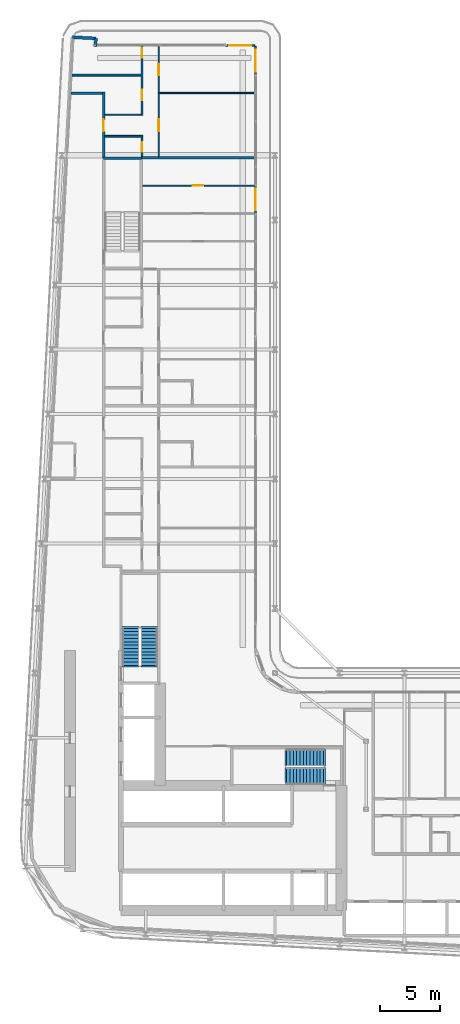
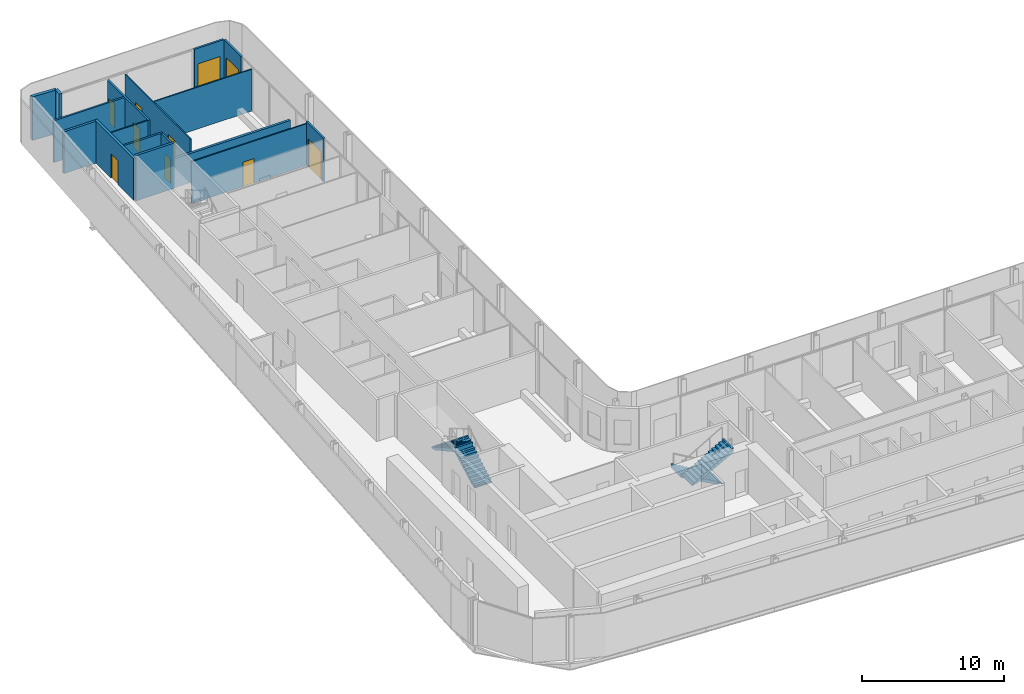
# One storey, part 20 of 28: 17 walls, 10 doors, 4 stair flights, 10 openings, 2 elements without a shape of their own.
"""IFC4 building model written with IfcOpenShell, lengths in metres."""

from ifc_helpers import new_model, si_unit, direction, frame, frame_2d, origin, place, context, subcontext, project, spatial, polyline, rectangle, outline, extrude, source, transform, mapped, material, layer, layer_set, type_object, element, fill, aggregate, save


model = new_model("IFC4")

# Units and contexts
model_context = context("Model", 3, precision=1e-05, world=origin(), true_north=direction((0.0, 1.0)))
body_context = subcontext(model_context, "Body", "Model", "MODEL_VIEW")
ifc_project = project(units=[si_unit("LENGTHUNIT", "METRE"), si_unit("AREAUNIT", "SQUARE_METRE"), si_unit("VOLUMEUNIT", "CUBIC_METRE"), si_unit("PLANEANGLEUNIT", "RADIAN"), si_unit("MASSUNIT", "GRAM", prefix="KILO")], contexts=[model_context])

# Site, building, storey
site_placement = place(None, origin())
site = spatial("IfcSite", under=ifc_project, at=site_placement, CompositionType="ELEMENT")
building_placement = place(site_placement, origin())
building = spatial("IfcBuilding", under=site, at=building_placement, Name="Kheshtan School and Residences Tower", CompositionType="ELEMENT")
storey_placement = place(building_placement, frame((0.0, 0.0, 140.89990234375)))
storey = spatial("IfcBuildingStorey", under=building, at=storey_placement, Name="L33", CompositionType="ELEMENT", Elevation=140.89990234375)

# Wall
ifc_material_1 = material(Name="Gypsum board on steel studs with fire boards", Category="steel")
ifc_layer_1 = layer(ifc_material_1, 0.199951171875)
ifc_layer_set_1 = layer_set([ifc_layer_1], Name="Corridor wall 200")
wall_type_1 = type_object("IfcWallType", Name="Corridor wall 200", PredefinedType="PARTITIONING", material=ifc_layer_set_1)
wall_1_placement = place(storey_placement, frame((30.584716796875, 94.0, 0.0), z_axis=(0.0, 0.0, 1.0), x_axis=(1.0, 0.0, 0.0)))
element("IfcWall", 1, at=wall_1_placement, inside=storey, type_object=wall_type_1, Name="Partition L33-002", PredefinedType="PARTITIONING", context=body_context, shape_type="SweptSolid", body=[
    extrude(rectangle(XDim=2.615234375, YDim=0.199951171875, at=frame_2d((1.3076171875, 0.0))), origin(), (0.0, 0.0, 1.0), 3.60009765625),
])

# Wall, opening, door
wall_2_placement = place(storey_placement, frame((33.300048828125, 88.60009765625, 0.0), z_axis=(0.0, 0.0, 1.0), x_axis=(0.0, 1.0, 0.0)))
wall_2 = element("IfcWall", 2, at=wall_2_placement, inside=storey, type_object=wall_type_1, Name="Partition L33-004", PredefinedType="PARTITIONING", context=body_context, shape_type="SweptSolid", body=[
    extrude(rectangle(XDim=5.5, YDim=0.199951171875, at=frame_2d((2.75, 0.0))), origin(), (0.0, 0.0, 1.0), 3.60009765625),
])
opening_1_placement = place(wall_2_placement, frame((2.199951171875, 0.0, 0.0)))
opening_1 = element("IfcOpeningElement", 3, at=opening_1_placement, cuts=wall_2, Name="Opening D32-059", PredefinedType="OPENING", context=body_context, shape_type="SweptSolid", body=[
    extrude(rectangle(XDim=1.0, YDim=2.10009765625, at=frame_2d((0.5, 1.050048828125))), frame((0.0, 0.10986328125, 0.0), z_axis=(0.0, -1.0, 0.0), x_axis=(1.0, 0.0, 0.0)), (0.0, 0.0, 1.0), 0.219970703125),
])
ifc_material_2 = material(Name="Steel-framed fire-resisting door leaf", Category="steel")
door_type_1 = type_object("IfcDoorType", Name="Fire door FD30S 1000 x 2100", OperationType="SINGLE_SWING_LEFT", PredefinedType="DOOR", material=ifc_material_2)
shared_shape_1 = source(origin(), body_context, "Body", "SweptSolid", [
    extrude(rectangle(XDim=1.0, YDim=2.10009765625, at=frame_2d((0.5, 1.050048828125))), frame((0.0, 0.02490234375, 0.0), z_axis=(0.0, -1.0, 0.0), x_axis=(1.0, 0.0, 0.0)), (0.0, 0.0, 1.0), 0.050048828125),
])
door_1_placement = place(opening_1_placement, origin())
door_1 = element("IfcDoor", 4, at=door_1_placement, inside=storey, type_object=door_type_1, Name="Door D32-059", OperationType="SINGLE_SWING_LEFT", OverallHeight=2.10009765625, OverallWidth=1.0, PredefinedType="DOOR", context=body_context, shape_type="MappedRepresentation", body=[
    mapped(shared_shape_1, transform((0.0, 0.0, 0.0), x_axis=(1.0, 0.0, 0.0), y_axis=(0.0, 1.0, 0.0), z_axis=(0.0, 0.0, 1.0), scale=1.0)),
])
fill(opening_1, door_1)

# Walls
ifc_material_3 = material(Name="Concrete C40/50 with ceramic cladding and mineral wool insulation", Category="concrete")
ifc_layer_2 = layer(ifc_material_3, 0.25)
ifc_layer_set_2 = layer_set([ifc_layer_2], Name="External wall 250 ceramic clad")
wall_type_2 = type_object("IfcWallType", Name="External wall 250 ceramic clad", PredefinedType="SOLIDWALL", material=ifc_layer_set_2)
wall_3_placement = place(storey_placement, frame((30.705078125, 98.6640625, 0.0), z_axis=(0.0, 0.0, 1.0), x_axis=(0.998577785791, -0.053314216913, 0.0)))
element("IfcWall", 5, at=wall_3_placement, inside=storey, type_object=wall_type_2, Name="External wall L33 5", PredefinedType="SOLIDWALL", context=body_context, shape_type="SweptSolid", body=[
    extrude(rectangle(XDim=1.95068359375, YDim=0.25, at=frame_2d((0.975341796875, 0.0))), origin(), (0.0, 0.0, 1.0), 3.75),
])
wall_4_placement = place(storey_placement, frame((32.653076171875, 98.56005859375, 0.0), z_axis=(0.0, 0.0, 1.0), x_axis=(-0.054093451632, -0.998535877418, 0.0)))
element("IfcWall", 6, at=wall_4_placement, inside=storey, type_object=wall_type_2, Name="External wall L33 6", PredefinedType="SOLIDWALL", context=body_context, shape_type="SweptSolid", body=[
    extrude(rectangle(XDim=0.66796875, YDim=0.25, at=frame_2d((0.333984375, 0.0))), origin(), (0.0, 0.0, 1.0), 3.75),
])

# Wall, opening, door
ifc_material_4 = material(Name="Aluminium frame wall with insulated infill", Category="aluminium")
ifc_layer_3 = layer(ifc_material_4, 0.14990234375)
ifc_layer_set_3 = layer_set([ifc_layer_3], Name="Glazing frame wall 150")
wall_type_3 = type_object("IfcWallType", Name="Glazing frame wall 150", PredefinedType="SOLIDWALL", material=ifc_layer_set_3)
wall_5_placement = place(storey_placement, frame((43.5, 97.97509765625, 0.0), z_axis=(0.0, 0.0, 1.0), x_axis=(1.0, 0.0, 0.0)))
wall_5 = element("IfcWall", 7, at=wall_5_placement, inside=storey, type_object=wall_type_3, Name="Balcony door wall L33 7.1", PredefinedType="SOLIDWALL", context=body_context, shape_type="SweptSolid", body=[
    extrude(rectangle(XDim=2.39990234375, YDim=0.14990234375, at=frame_2d((1.199951171875, 0.0))), origin(), (0.0, 0.0, 1.0), 3.75),
])
opening_2_placement = place(wall_5_placement, frame((0.300048828125, 0.0, 0.0)))
opening_2 = element("IfcOpeningElement", 8, at=opening_2_placement, cuts=wall_5, Name="Opening BD", PredefinedType="OPENING", context=body_context, shape_type="SweptSolid", body=[
    extrude(rectangle(XDim=1.800048828125, YDim=2.39990234375, at=frame_2d((0.89990234375, 1.199951171875))), frame((0.0, 0.0849609375, 0.0), z_axis=(0.0, -1.0, 0.0), x_axis=(1.0, 0.0, 0.0)), (0.0, 0.0, 1.0), 0.169921875),
])
ifc_material_5 = material(Name="Clear low-e glass in thermally broken aluminium frame", Category="aluminium")
door_type_2 = type_object("IfcDoorType", Name="Balcony sliding door", OperationType="SLIDING_TO_LEFT", PredefinedType="DOOR", material=ifc_material_5)
shared_shape_2 = source(origin(), body_context, "Body", "SweptSolid", [
    extrude(rectangle(XDim=1.800048828125, YDim=2.39990234375, at=frame_2d((0.89990234375, 1.199951171875))), frame((0.0, 0.02490234375, 0.0), z_axis=(0.0, -1.0, 0.0), x_axis=(1.0, 0.0, 0.0)), (0.0, 0.0, 1.0), 0.050048828125),
])
door_2_placement = place(opening_2_placement, origin())
door_2 = element("IfcDoor", 9, at=door_2_placement, inside=storey, type_object=door_type_2, Name="Balcony door L33 7.1", OperationType="SLIDING_TO_LEFT", OverallHeight=2.39990234375, OverallWidth=1.800048828125, PredefinedType="DOOR", context=body_context, shape_type="MappedRepresentation", body=[
    mapped(shared_shape_2, transform((0.0, 0.0, 0.0), x_axis=(1.0, 0.0, 0.0), y_axis=(0.0, 1.0, 0.0), z_axis=(0.0, 0.0, 1.0), scale=1.0)),
])
fill(opening_2, door_2)

wall_6_placement = place(storey_placement, frame((45.97509765625, 97.89990234375, 0.0), z_axis=(0.0, 0.0, 1.0), x_axis=(0.0, -1.0, 0.0)))
wall_6 = element("IfcWall", 10, at=wall_6_placement, inside=storey, type_object=wall_type_3, Name="Balcony door wall L33 8.1", PredefinedType="SOLIDWALL", context=body_context, shape_type="SweptSolid", body=[
    extrude(rectangle(XDim=2.39990234375, YDim=0.14990234375, at=frame_2d((1.199951171875, 0.0))), origin(), (0.0, 0.0, 1.0), 3.75),
])
opening_3_placement = place(wall_6_placement, frame((0.300048828125, 0.0, 0.0)))
opening_3 = element("IfcOpeningElement", 11, at=opening_3_placement, cuts=wall_6, Name="Opening BD", PredefinedType="OPENING", context=body_context, shape_type="SweptSolid", body=[
    extrude(rectangle(XDim=1.800048828125, YDim=2.39990234375, at=frame_2d((0.89990234375, 1.199951171875))), frame((0.0, 0.0849609375, 0.0), z_axis=(0.0, -1.0, 0.0), x_axis=(1.0, 0.0, 0.0)), (0.0, 0.0, 1.0), 0.169921875),
])
door_3_placement = place(opening_3_placement, origin())
door_3 = element("IfcDoor", 12, at=door_3_placement, inside=storey, type_object=door_type_2, Name="Balcony door L33 8.1", OperationType="SLIDING_TO_LEFT", OverallHeight=2.39990234375, OverallWidth=1.800048828125, PredefinedType="DOOR", context=body_context, shape_type="MappedRepresentation", body=[
    mapped(shared_shape_2, transform((0.0, 0.0, 0.0), x_axis=(1.0, 0.0, 0.0), y_axis=(0.0, 1.0, 0.0), z_axis=(0.0, 0.0, 1.0), scale=1.0)),
])
fill(opening_3, door_3)

wall_7_placement = place(storey_placement, frame((45.97509765625, 86.305908203125, 0.0), z_axis=(0.0, 0.0, 1.0), x_axis=(0.0, -1.0, 0.0)))
wall_7 = element("IfcWall", 13, at=wall_7_placement, inside=storey, type_object=wall_type_3, Name="Balcony door wall L33 8.2", PredefinedType="SOLIDWALL", context=body_context, shape_type="SweptSolid", body=[
    extrude(rectangle(XDim=2.39990234375, YDim=0.14990234375, at=frame_2d((1.199951171875, 0.0))), origin(), (0.0, 0.0, 1.0), 3.75),
])
opening_4_placement = place(wall_7_placement, frame((0.300048828125, 0.0, 0.0)))
opening_4 = element("IfcOpeningElement", 14, at=opening_4_placement, cuts=wall_7, Name="Opening BD", PredefinedType="OPENING", context=body_context, shape_type="SweptSolid", body=[
    extrude(rectangle(XDim=1.800048828125, YDim=2.39990234375, at=frame_2d((0.89990234375, 1.199951171875))), frame((0.0, 0.0849609375, 0.0), z_axis=(0.0, -1.0, 0.0), x_axis=(1.0, 0.0, 0.0)), (0.0, 0.0, 1.0), 0.169921875),
])
door_4_placement = place(opening_4_placement, origin())
door_4 = element("IfcDoor", 15, at=door_4_placement, inside=storey, type_object=door_type_2, Name="Balcony door L33 8.2", OperationType="SLIDING_TO_LEFT", OverallHeight=2.39990234375, OverallWidth=1.800048828125, PredefinedType="DOOR", context=body_context, shape_type="MappedRepresentation", body=[
    mapped(shared_shape_2, transform((0.0, 0.0, 0.0), x_axis=(1.0, 0.0, 0.0), y_axis=(0.0, 1.0, 0.0), z_axis=(0.0, 0.0, 1.0), scale=1.0)),
])
fill(opening_4, door_4)

# Wall
ifc_material_6 = material(Name="Gypsum board on steel studs", Category="steel")
ifc_layer_4 = layer(ifc_material_6, 0.10009765625)
ifc_layer_set_4 = layer_set([ifc_layer_4], Name="Gypsum partition 100")
wall_type_4 = type_object("IfcWallType", Name="Gypsum partition 100", PredefinedType="PARTITIONING", material=ifc_layer_set_4)
wall_8_placement = place(storey_placement, frame((33.39990234375, 92.199951171875, 0.0), z_axis=(0.0, 0.0, 1.0), x_axis=(1.0, 0.0, 0.0)))
element("IfcWall", 16, at=wall_8_placement, inside=storey, type_object=wall_type_4, Name="Partition L33-017", PredefinedType="PARTITIONING", context=body_context, shape_type="SweptSolid", body=[
    extrude(rectangle(XDim=3.025146484375, YDim=0.10009765625, at=frame_2d((1.5126953125, 0.0))), origin(), (0.0, 0.0, 1.0), 3.60009765625),
])

# Wall, opening, door
wall_9_placement = place(storey_placement, frame((36.549072265625, 86.27490234375, 0.0), z_axis=(0.0, 0.0, 1.0), x_axis=(1.0, 0.0, 0.0)))
wall_9 = element("IfcWall", 17, at=wall_9_placement, inside=storey, type_object=wall_type_4, Name="Partition L33-029", PredefinedType="PARTITIONING", context=body_context, shape_type="SweptSolid", body=[
    extrude(rectangle(XDim=9.350830078125, YDim=0.10009765625, at=frame_2d((4.67529296875, 0.0))), origin(), (0.0, 0.0, 1.0), 3.60009765625),
])
opening_5_placement = place(wall_9_placement, frame((4.176025390625, 0.0, 0.0)))
opening_5 = element("IfcOpeningElement", 18, at=opening_5_placement, cuts=wall_9, Name="Opening D32-056", PredefinedType="OPENING", context=body_context, shape_type="SweptSolid", body=[
    extrude(rectangle(XDim=0.89990234375, YDim=2.10009765625, at=frame_2d((0.449951171875, 1.050048828125))), frame((0.0, 0.06005859375, 0.0), z_axis=(0.0, -1.0, 0.0), x_axis=(1.0, 0.0, 0.0)), (0.0, 0.0, 1.0), 0.1201171875),
])
ifc_material_7 = material(Name="Veneered timber door leaf", Category="wood")
door_type_3 = type_object("IfcDoorType", Name="Door 900 x 2100", OperationType="SINGLE_SWING_LEFT", PredefinedType="DOOR", material=ifc_material_7)
shared_shape_3 = source(origin(), body_context, "Body", "SweptSolid", [
    extrude(rectangle(XDim=0.89990234375, YDim=2.10009765625, at=frame_2d((0.449951171875, 1.050048828125))), frame((0.0, 0.02490234375, 0.0), z_axis=(0.0, -1.0, 0.0), x_axis=(1.0, 0.0, 0.0)), (0.0, 0.0, 1.0), 0.050048828125),
])
door_5_placement = place(opening_5_placement, origin())
door_5 = element("IfcDoor", 19, at=door_5_placement, inside=storey, type_object=door_type_3, Name="Door D32-056", OperationType="SINGLE_SWING_RIGHT", OverallHeight=2.10009765625, OverallWidth=0.89990234375, PredefinedType="DOOR", context=body_context, shape_type="MappedRepresentation", body=[
    mapped(shared_shape_3, transform((0.0, 0.0, 0.0), x_axis=(1.0, 0.0, 0.0), y_axis=(0.0, 1.0, 0.0), z_axis=(0.0, 0.0, 1.0), scale=1.0)),
])
fill(opening_5, door_5)

# Wall, openings, doors
wall_10_placement = place(storey_placement, frame((37.89990234375, 88.699951171875, 0.0), z_axis=(0.0, 0.0, 1.0), x_axis=(0.0, 1.0, 0.0)))
wall_10 = element("IfcWall", 20, at=wall_10_placement, inside=storey, type_object=wall_type_4, Name="Partition L33-032", PredefinedType="PARTITIONING", context=body_context, shape_type="SweptSolid", body=[
    extrude(rectangle(XDim=9.199951171875, YDim=0.10009765625, at=frame_2d((4.60009765625, 0.0))), origin(), (0.0, 0.0, 1.0), 3.60009765625),
])
opening_6_placement = place(wall_10_placement, frame((6.800048828125, 0.0, 0.0)))
opening_6 = element("IfcOpeningElement", 21, at=opening_6_placement, cuts=wall_10, Name="Opening D32-058", PredefinedType="OPENING", context=body_context, shape_type="SweptSolid", body=[
    extrude(rectangle(XDim=0.89990234375, YDim=2.10009765625, at=frame_2d((0.449951171875, 1.050048828125))), frame((0.0, 0.06005859375, 0.0), z_axis=(0.0, -1.0, 0.0), x_axis=(1.0, 0.0, 0.0)), (0.0, 0.0, 1.0), 0.1201171875),
])
opening_7_placement = place(wall_10_placement, frame((2.10009765625, 0.0, 0.0)))
opening_7 = element("IfcOpeningElement", 22, at=opening_7_placement, cuts=wall_10, Name="Opening D32-061", PredefinedType="OPENING", context=body_context, shape_type="SweptSolid", body=[
    extrude(rectangle(XDim=1.0, YDim=2.10009765625, at=frame_2d((0.5, 1.050048828125))), frame((0.0, 0.06005859375, 0.0), z_axis=(0.0, -1.0, 0.0), x_axis=(1.0, 0.0, 0.0)), (0.0, 0.0, 1.0), 0.1201171875),
])
door_type_4 = type_object("IfcDoorType", Name="Door 1000 x 2100", OperationType="SINGLE_SWING_LEFT", PredefinedType="DOOR", material=ifc_material_7)
shared_shape_4 = source(origin(), body_context, "Body", "SweptSolid", [
    extrude(rectangle(XDim=1.0, YDim=2.10009765625, at=frame_2d((0.5, 1.050048828125))), frame((0.0, 0.02490234375, 0.0), z_axis=(0.0, -1.0, 0.0), x_axis=(1.0, 0.0, 0.0)), (0.0, 0.0, 1.0), 0.050048828125),
])
door_6_placement = place(opening_7_placement, origin())
door_6 = element("IfcDoor", 23, at=door_6_placement, inside=storey, type_object=door_type_4, Name="Door D32-061", OperationType="SINGLE_SWING_LEFT", OverallHeight=2.10009765625, OverallWidth=1.0, PredefinedType="DOOR", context=body_context, shape_type="MappedRepresentation", body=[
    mapped(shared_shape_4, transform((0.0, 0.0, 0.0), x_axis=(1.0, 0.0, 0.0), y_axis=(0.0, 1.0, 0.0), z_axis=(0.0, 0.0, 1.0), scale=1.0)),
])
fill(opening_7, door_6)
door_7_placement = place(opening_6_placement, origin())
door_7 = element("IfcDoor", 24, at=door_7_placement, inside=storey, type_object=door_type_3, Name="Door D32-058", OperationType="SINGLE_SWING_RIGHT", OverallHeight=2.10009765625, OverallWidth=0.89990234375, PredefinedType="DOOR", context=body_context, shape_type="MappedRepresentation", body=[
    mapped(shared_shape_3, transform((0.0, 0.0, 0.0), x_axis=(1.0, 0.0, 0.0), y_axis=(0.0, 1.0, 0.0), z_axis=(0.0, 0.0, 1.0), scale=1.0)),
])
fill(opening_6, door_7)

# Walls
wall_11_placement = place(storey_placement, frame((37.949951171875, 94.0, 0.0), z_axis=(0.0, 0.0, 1.0), x_axis=(1.0, 0.0, 0.0)))
element("IfcWall", 25, at=wall_11_placement, inside=storey, type_object=wall_type_4, Name="Partition L33-033", PredefinedType="PARTITIONING", context=body_context, shape_type="SweptSolid", body=[
    extrude(rectangle(XDim=7.949951171875, YDim=0.10009765625, at=frame_2d((3.97509765625, 0.0))), origin(), (0.0, 0.0, 1.0), 3.60009765625),
])
ifc_material_8 = material(Name="Concrete C40/50", Category="concrete")
ifc_layer_5 = layer(ifc_material_8, 0.199951171875)
ifc_layer_set_5 = layer_set([ifc_layer_5], Name="Stair enclosure wall 200 Concrete C40/50")
wall_type_5 = type_object("IfcWallType", Name="Stair enclosure wall 200 Concrete C40/50", PredefinedType="SHEAR", material=ifc_layer_set_5)
wall_12_placement = place(storey_placement, frame((33.300048828125, 88.56005859375, 0.0), z_axis=(0.0, 0.0, 1.0), x_axis=(1.0, 0.0, 0.0)))
element("IfcWall", 26, at=wall_12_placement, inside=storey, type_object=wall_type_5, Name="Stair enclosure wall ST3", PredefinedType="SHEAR", context=body_context, shape_type="SweptSolid", body=[
    extrude(rectangle(XDim=3.14990234375, YDim=0.199951171875, at=frame_2d((1.574951171875, 0.0))), origin(), (0.0, 0.0, 1.0), 3.900146484375),
])
ifc_material_9 = material(Name="Twin gypsum board on steel studs with mineral wool", Category="steel")
ifc_layer_6 = layer(ifc_material_9, 0.199951171875)
ifc_layer_set_6 = layer_set([ifc_layer_6], Name="Unit demising wall 200")
wall_type_6 = type_object("IfcWallType", Name="Unit demising wall 200", PredefinedType="PARTITIONING", material=ifc_layer_set_6)
wall_13_placement = place(storey_placement, frame((36.425048828125, 88.60009765625, 0.0), z_axis=(0.0, 0.0, 1.0), x_axis=(1.0, 0.0, 0.0)))
element("IfcWall", 27, at=wall_13_placement, inside=storey, type_object=wall_type_6, Name="Partition L33-020", PredefinedType="PARTITIONING", context=body_context, shape_type="SweptSolid", body=[
    extrude(rectangle(XDim=9.474853515625, YDim=0.199951171875, at=frame_2d((4.7373046875, 0.0))), origin(), (0.0, 0.0, 1.0), 2.5),
])
ifc_material_10 = material(Name="Moisture-resistant gypsum board on steel studs", Category="steel")
ifc_layer_7 = layer(ifc_material_10, 0.14990234375)
ifc_layer_set_7 = layer_set([ifc_layer_7], Name="Wet-room partition 150")
wall_type_7 = type_object("IfcWallType", Name="Wet-room partition 150", PredefinedType="PARTITIONING", material=ifc_layer_set_7)
wall_14_placement = place(storey_placement, frame((30.6640625, 95.5, 0.0), z_axis=(0.0, 0.0, 1.0), x_axis=(1.0, 0.0, 0.0)))
element("IfcWall", 28, at=wall_14_placement, inside=storey, type_object=wall_type_7, Name="Partition L33-001", PredefinedType="PARTITIONING", context=body_context, shape_type="SweptSolid", body=[
    extrude(rectangle(XDim=5.760986328125, YDim=0.14990234375, at=frame_2d((2.88037109375, 0.0))), origin(), (0.0, 0.0, 1.0), 3.60009765625),
])
wall_15_placement = place(storey_placement, frame((33.39990234375, 90.39990234375, 0.0), z_axis=(0.0, 0.0, 1.0), x_axis=(1.0, 0.0, 0.0)))
element("IfcWall", 29, at=wall_15_placement, inside=storey, type_object=wall_type_7, Name="Partition L33-016", PredefinedType="PARTITIONING", context=body_context, shape_type="SweptSolid", body=[
    extrude(rectangle(XDim=3.175048828125, YDim=0.14990234375, at=frame_2d((1.58740234375, 0.0))), origin(), (0.0, 0.0, 1.0), 3.60009765625),
])

# Wall, opening, door
wall_16_placement = place(storey_placement, frame((36.5, 88.699951171875, 0.0), z_axis=(0.0, 0.0, 1.0), x_axis=(0.0, 1.0, 0.0)))
wall_16 = element("IfcWall", 30, at=wall_16_placement, inside=storey, type_object=wall_type_7, Name="Partition L33-025", PredefinedType="PARTITIONING", context=body_context, shape_type="SweptSolid", body=[
    extrude(rectangle(XDim=1.625, YDim=0.14990234375, at=frame_2d((0.8125, 0.0))), origin(), (0.0, 0.0, 1.0), 3.60009765625),
])
opening_8_placement = place(wall_16_placement, frame((0.39990234375, 0.0, 0.0)))
opening_8 = element("IfcOpeningElement", 31, at=opening_8_placement, cuts=wall_16, Name="Opening D32-062", PredefinedType="OPENING", context=body_context, shape_type="SweptSolid", body=[
    extrude(rectangle(XDim=0.800048828125, YDim=2.10009765625, at=frame_2d((0.39990234375, 1.050048828125))), frame((0.0, 0.0849609375, 0.0), z_axis=(0.0, -1.0, 0.0), x_axis=(1.0, 0.0, 0.0)), (0.0, 0.0, 1.0), 0.169921875),
])
door_type_5 = type_object("IfcDoorType", Name="Door 800 x 2100", OperationType="SINGLE_SWING_LEFT", PredefinedType="DOOR", material=ifc_material_7)
shared_shape_5 = source(origin(), body_context, "Body", "SweptSolid", [
    extrude(rectangle(XDim=0.800048828125, YDim=2.10009765625, at=frame_2d((0.39990234375, 1.050048828125))), frame((0.0, 0.02490234375, 0.0), z_axis=(0.0, -1.0, 0.0), x_axis=(1.0, 0.0, 0.0)), (0.0, 0.0, 1.0), 0.050048828125),
])
door_8_placement = place(opening_8_placement, origin())
door_8 = element("IfcDoor", 32, at=door_8_placement, inside=storey, type_object=door_type_5, Name="Door D32-062", OperationType="SINGLE_SWING_RIGHT", OverallHeight=2.10009765625, OverallWidth=0.800048828125, PredefinedType="DOOR", context=body_context, shape_type="MappedRepresentation", body=[
    mapped(shared_shape_5, transform((0.0, 0.0, 0.0), x_axis=(1.0, 0.0, 0.0), y_axis=(0.0, 1.0, 0.0), z_axis=(0.0, 0.0, 1.0), scale=1.0)),
])
fill(opening_8, door_8)

# Wall, openings, doors
wall_17_placement = place(storey_placement, frame((36.5, 92.14990234375, 0.0), z_axis=(0.0, 0.0, 1.0), x_axis=(0.0, 1.0, 0.0)))
wall_17 = element("IfcWall", 33, at=wall_17_placement, inside=storey, type_object=wall_type_7, Name="Partition L33-026", PredefinedType="PARTITIONING", context=body_context, shape_type="SweptSolid", body=[
    extrude(rectangle(XDim=5.75, YDim=0.14990234375, at=frame_2d((2.875, 0.0))), origin(), (0.0, 0.0, 1.0), 3.60009765625),
])
opening_9_placement = place(wall_17_placement, frame((4.800048828125, 0.0, 0.0)))
opening_9 = element("IfcOpeningElement", 34, at=opening_9_placement, cuts=wall_17, Name="Opening D32-057", PredefinedType="OPENING", context=body_context, shape_type="SweptSolid", body=[
    extrude(rectangle(XDim=0.800048828125, YDim=2.10009765625, at=frame_2d((0.39990234375, 1.050048828125))), frame((0.0, 0.0849609375, 0.0), z_axis=(0.0, -1.0, 0.0), x_axis=(1.0, 0.0, 0.0)), (0.0, 0.0, 1.0), 0.169921875),
])
opening_10_placement = place(wall_17_placement, frame((1.25, 0.0, 0.0)))
opening_10 = element("IfcOpeningElement", 35, at=opening_10_placement, cuts=wall_17, Name="Opening D32-060", PredefinedType="OPENING", context=body_context, shape_type="SweptSolid", body=[
    extrude(rectangle(XDim=0.89990234375, YDim=2.10009765625, at=frame_2d((0.449951171875, 1.050048828125))), frame((0.0, 0.0849609375, 0.0), z_axis=(0.0, -1.0, 0.0), x_axis=(1.0, 0.0, 0.0)), (0.0, 0.0, 1.0), 0.169921875),
])
door_9_placement = place(opening_9_placement, origin())
door_9 = element("IfcDoor", 36, at=door_9_placement, inside=storey, type_object=door_type_5, Name="Door D32-057", OperationType="SINGLE_SWING_LEFT", OverallHeight=2.10009765625, OverallWidth=0.800048828125, PredefinedType="DOOR", context=body_context, shape_type="MappedRepresentation", body=[
    mapped(shared_shape_5, transform((0.0, 0.0, 0.0), x_axis=(1.0, 0.0, 0.0), y_axis=(0.0, 1.0, 0.0), z_axis=(0.0, 0.0, 1.0), scale=1.0)),
])
fill(opening_9, door_9)
door_10_placement = place(opening_10_placement, origin())
door_10 = element("IfcDoor", 37, at=door_10_placement, inside=storey, type_object=door_type_3, Name="Door D32-060", OperationType="SINGLE_SWING_RIGHT", OverallHeight=2.10009765625, OverallWidth=0.89990234375, PredefinedType="DOOR", context=body_context, shape_type="MappedRepresentation", body=[
    mapped(shared_shape_3, transform((0.0, 0.0, 0.0), x_axis=(1.0, 0.0, 0.0), y_axis=(0.0, 1.0, 0.0), z_axis=(0.0, 0.0, 1.0), scale=1.0)),
])
fill(opening_10, door_10)

# Stair, stair flights
stair_type = type_object("IfcStairType", Name="Exit stair, half-turn", PredefinedType="HALF_TURN_STAIR", material=ifc_material_8)
stair_1_placement = place(storey_placement, origin())
stair_1 = element("IfcStair", 38, at=stair_1_placement, inside=storey, type_object=stair_type, Name="L33 Protected Exit Stair ST1", PredefinedType="HALF_TURN_STAIR")
ifc_layer_8 = layer(ifc_material_8, 0.14990234375)
ifc_layer_set_8 = layer_set([ifc_layer_8], Name="Stair flight 1400 Concrete C40/50")
stair_flight_type = type_object("IfcStairFlightType", Name="Stair flight 1400 Concrete C40/50", PredefinedType="STRAIGHT", material=ifc_layer_set_8)
stair_flight_1_placement = place(storey_placement, frame((51.64990234375, 38.550048828125, 0.0), z_axis=(0.0, 0.0, 1.0), x_axis=(-1.0, 0.0, 0.0)))
stair_flight_1 = element("IfcStairFlight", 39, at=stair_flight_1_placement, type_object=stair_flight_type, Name="ST1 flight 1", NumberOfRisers=12, NumberOfTreads=11, PredefinedType="STRAIGHT", RiserHeight=0.1625, TreadLength=0.28, context=body_context, shape_type="SweptSolid", body=[
    extrude(outline(polyline([(-0.14990234375, -0.10009765625), (-0.14990234375, 0.0), (0.0, 0.0), (0.0, 0.16259765625), (0.280029296875, 0.16259765625), (0.280029296875, 0.324951171875), (0.56005859375, 0.324951171875), (0.56005859375, 0.487548828125), (0.840087890625, 0.487548828125), (0.840087890625, 0.64990234375), (1.1201171875, 0.64990234375), (1.1201171875, 0.8125), (1.39990234375, 0.8125), (1.39990234375, 0.97509765625), (1.679931640625, 0.97509765625), (1.679931640625, 1.137451171875), (1.9599609375, 1.137451171875), (1.9599609375, 1.300048828125), (2.239990234375, 1.300048828125), (2.239990234375, 1.46240234375), (2.52001953125, 1.46240234375), (2.52001953125, 1.625), (2.800048828125, 1.625), (2.800048828125, 1.78759765625), (3.080078125, 1.78759765625), (3.080078125, 1.949951171875), (3.080078125, 1.969970703125), (3.22998046875, 1.969970703125), (3.22998046875, 1.6142578125), (0.298583984375, 0.0), (-0.14990234375, -0.10009765625)])), frame((0.0, 0.699951171875, 0.0), z_axis=(0.0, -1.0, 0.0), x_axis=(1.0, 0.0, 0.0)), (0.0, 0.0, 1.0), 1.39990234375),
])
stair_flight_2_placement = place(storey_placement, frame((48.570068359375, 37.0, 1.9501953125), z_axis=(0.0, 0.0, 1.0), x_axis=(1.0, 0.0, 0.0)))
stair_flight_2 = element("IfcStairFlight", 40, at=stair_flight_2_placement, type_object=stair_flight_type, Name="ST1 flight 2", NumberOfRisers=12, NumberOfTreads=11, PredefinedType="STRAIGHT", RiserHeight=0.1625, TreadLength=0.28, context=body_context, shape_type="SweptSolid", body=[
    extrude(outline(polyline([(-0.14990234375, -0.10009765625), (-0.14990234375, 0.0), (0.0, 0.0), (0.0, 0.16259765625), (0.280029296875, 0.16259765625), (0.280029296875, 0.324951171875), (0.56005859375, 0.324951171875), (0.56005859375, 0.487548828125), (0.840087890625, 0.487548828125), (0.840087890625, 0.64990234375), (1.1201171875, 0.64990234375), (1.1201171875, 0.8125), (1.39990234375, 0.8125), (1.39990234375, 0.97509765625), (1.679931640625, 0.97509765625), (1.679931640625, 1.137451171875), (1.9599609375, 1.137451171875), (1.9599609375, 1.300048828125), (2.239990234375, 1.300048828125), (2.239990234375, 1.46240234375), (2.52001953125, 1.46240234375), (2.52001953125, 1.625), (2.800048828125, 1.625), (2.800048828125, 1.78759765625), (3.080078125, 1.78759765625), (3.080078125, 1.949951171875), (3.080078125, 1.969970703125), (3.22998046875, 1.969970703125), (3.22998046875, 1.6142578125), (0.298583984375, 0.0), (-0.14990234375, -0.10009765625)])), frame((0.0, 0.699951171875, 0.0), z_axis=(0.0, -1.0, 0.0), x_axis=(1.0, 0.0, 0.0)), (0.0, 0.0, 1.0), 1.39990234375),
])
aggregate(stair_1, [stair_flight_1, stair_flight_2])

stair_2_placement = place(storey_placement, origin())
stair_2 = element("IfcStair", 41, at=stair_2_placement, inside=storey, type_object=stair_type, Name="L33 Protected Exit Stair ST2", PredefinedType="HALF_TURN_STAIR")
stair_flight_3_placement = place(storey_placement, frame((37.10009765625, 46.25, 0.0), z_axis=(0.0, 0.0, 1.0), x_axis=(0.0, 1.0, 0.0)))
stair_flight_3 = element("IfcStairFlight", 42, at=stair_flight_3_placement, type_object=stair_flight_type, Name="ST2 flight 1", NumberOfRisers=12, NumberOfTreads=11, PredefinedType="STRAIGHT", RiserHeight=0.1625, TreadLength=0.28, context=body_context, shape_type="SweptSolid", body=[
    extrude(outline(polyline([(-0.14990234375, -0.10009765625), (-0.14990234375, 0.0), (0.0, 0.0), (0.0, 0.16259765625), (0.280029296875, 0.16259765625), (0.280029296875, 0.324951171875), (0.56005859375, 0.324951171875), (0.56005859375, 0.487548828125), (0.840087890625, 0.487548828125), (0.840087890625, 0.64990234375), (1.1201171875, 0.64990234375), (1.1201171875, 0.8125), (1.39990234375, 0.8125), (1.39990234375, 0.97509765625), (1.679931640625, 0.97509765625), (1.679931640625, 1.137451171875), (1.9599609375, 1.137451171875), (1.9599609375, 1.300048828125), (2.239990234375, 1.300048828125), (2.239990234375, 1.46240234375), (2.52001953125, 1.46240234375), (2.52001953125, 1.625), (2.800048828125, 1.625), (2.800048828125, 1.78759765625), (3.080078125, 1.78759765625), (3.080078125, 1.949951171875), (3.080078125, 1.969970703125), (3.22998046875, 1.969970703125), (3.22998046875, 1.6142578125), (0.298583984375, 0.0), (-0.14990234375, -0.10009765625)])), frame((0.0, 0.699951171875, 0.0), z_axis=(0.0, -1.0, 0.0), x_axis=(1.0, 0.0, 0.0)), (0.0, 0.0, 1.0), 1.39990234375),
])
stair_flight_4_placement = place(storey_placement, frame((35.550048828125, 49.330078125, 1.9501953125), z_axis=(0.0, 0.0, 1.0), x_axis=(0.0, -1.0, 0.0)))
stair_flight_4 = element("IfcStairFlight", 43, at=stair_flight_4_placement, type_object=stair_flight_type, Name="ST2 flight 2", NumberOfRisers=12, NumberOfTreads=11, PredefinedType="STRAIGHT", RiserHeight=0.1625, TreadLength=0.28, context=body_context, shape_type="SweptSolid", body=[
    extrude(outline(polyline([(-0.14990234375, -0.10009765625), (-0.14990234375, 0.0), (0.0, 0.0), (0.0, 0.16259765625), (0.280029296875, 0.16259765625), (0.280029296875, 0.324951171875), (0.56005859375, 0.324951171875), (0.56005859375, 0.487548828125), (0.840087890625, 0.487548828125), (0.840087890625, 0.64990234375), (1.1201171875, 0.64990234375), (1.1201171875, 0.8125), (1.39990234375, 0.8125), (1.39990234375, 0.97509765625), (1.679931640625, 0.97509765625), (1.679931640625, 1.137451171875), (1.9599609375, 1.137451171875), (1.9599609375, 1.300048828125), (2.239990234375, 1.300048828125), (2.239990234375, 1.46240234375), (2.52001953125, 1.46240234375), (2.52001953125, 1.625), (2.800048828125, 1.625), (2.800048828125, 1.78759765625), (3.080078125, 1.78759765625), (3.080078125, 1.949951171875), (3.080078125, 1.969970703125), (3.22998046875, 1.969970703125), (3.22998046875, 1.6142578125), (0.298583984375, 0.0), (-0.14990234375, -0.10009765625)])), frame((0.0, 0.699951171875, 0.0), z_axis=(0.0, -1.0, 0.0), x_axis=(1.0, 0.0, 0.0)), (0.0, 0.0, 1.0), 1.39990234375),
])
aggregate(stair_2, [stair_flight_3, stair_flight_4])

save(model, "model.ifc")
